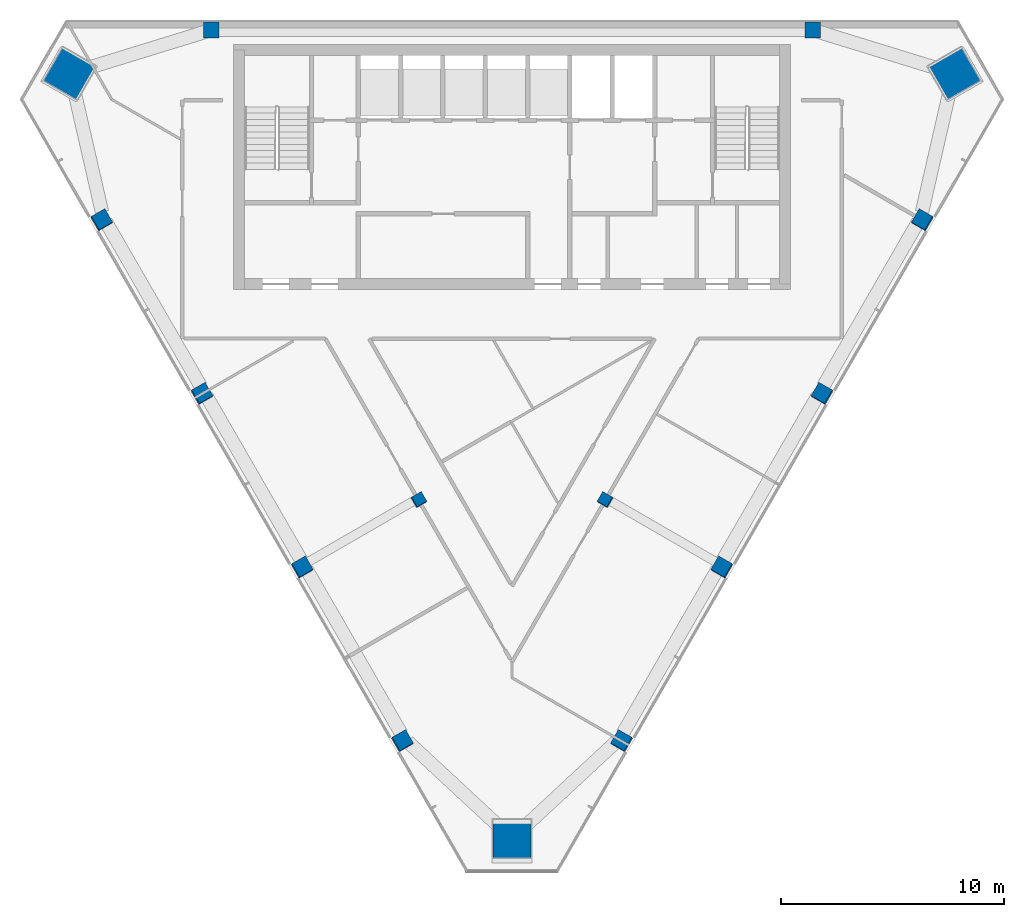
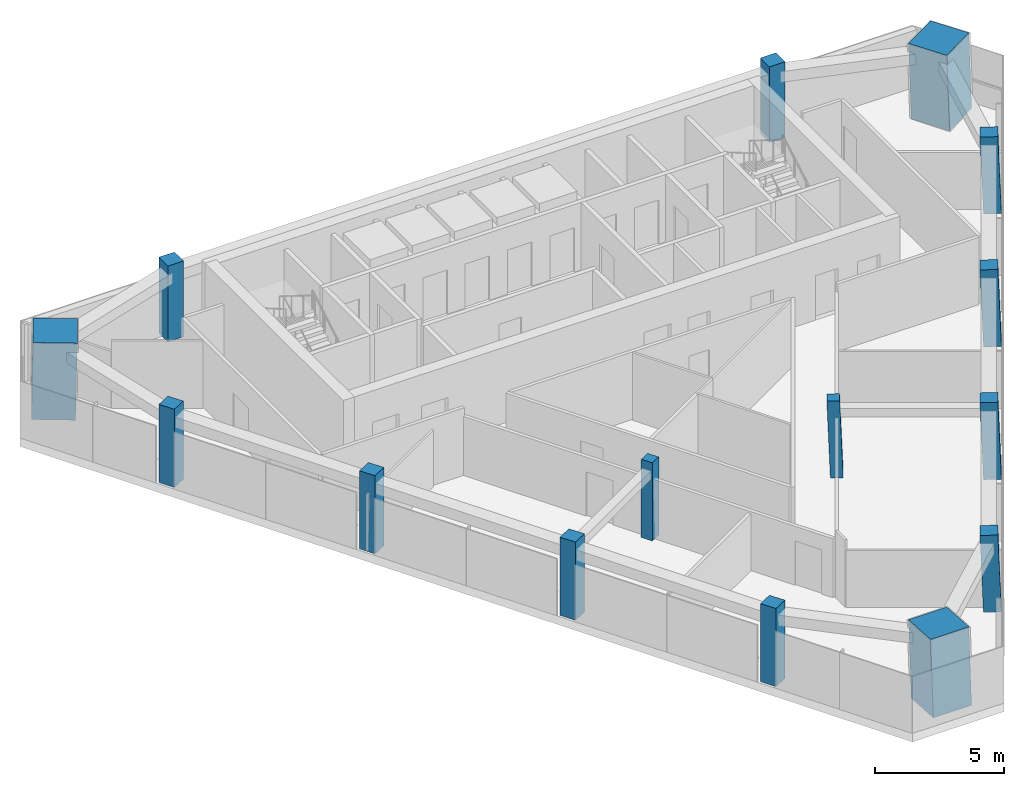
# One storey, part 1 of 9: 15 columns.
"""IFC4 building model written with IfcOpenShell, lengths in metres."""

from ifc_helpers import new_model, si_unit, direction, frame, origin, origin_2d, place, context, subcontext, project, spatial, rectangle, extrude, material, material_profile, profile_set, type_object, element, save


model = new_model("IFC4")

# Units and contexts
model_context = context("Model", 3, precision=1e-05, world=origin(), true_north=direction((0.0, 1.0)))
body_context = subcontext(model_context, "Body", "Model", "MODEL_VIEW")
ifc_project = project(units=[si_unit("LENGTHUNIT", "METRE"), si_unit("AREAUNIT", "SQUARE_METRE"), si_unit("VOLUMEUNIT", "CUBIC_METRE"), si_unit("PLANEANGLEUNIT", "RADIAN"), si_unit("MASSUNIT", "GRAM", prefix="KILO")], contexts=[model_context])

# Site, building, storey
site_placement = place(None, origin())
site = spatial("IfcSite", under=ifc_project, at=site_placement, CompositionType="ELEMENT")
building_placement = place(site_placement, origin())
building = spatial("IfcBuilding", under=site, at=building_placement, Name="Altiplano Prism Tower", CompositionType="ELEMENT")
storey_placement = place(building_placement, frame((0.0, 0.0, 302.199951171875)))
storey = spatial("IfcBuildingStorey", under=building, at=storey_placement, Name="L78", CompositionType="ELEMENT", Elevation=302.199951171875)

# Columns
ifc_material_1 = material(Name="Concrete C60/75", Category="concrete")
ifc_material_profile_1 = material_profile(ifc_material_1, rectangle(XDim=0.5, YDim=0.5, at=origin_2d()), Name="Inner column 500")
ifc_profile_set_1 = profile_set([ifc_material_profile_1], Name="Concrete C60/75")
column_type_1 = type_object("IfcColumnType", Name="Inner column 500", PredefinedType="COLUMN", material=ifc_profile_set_1)
for number, where, z_axis, x_axis, name in (
    (1, (80.80712890625, 83.443359375, -0.01513671875), (0.022153634206, 0.038480930364, 0.999013730882), (-0.864979720065, -0.500331296023, 0.038453583657), "Inner column I13 L78"),
    (2, (89.19287109375, 83.443359375, -0.01513671875), (-0.022153634206, 0.038480930364, 0.999013730882), (-0.501317564392, -0.864978503905, 0.02220106786), "Inner column I22 L78"),
):
    element("IfcColumn", number, at=place(storey_placement, frame(where, z_axis=z_axis, x_axis=x_axis)), inside=storey, type_object=column_type_1, Name=name, PredefinedType="COLUMN", context=body_context, shape_type="SweptSolid", body=[
        extrude(rectangle(XDim=0.5, YDim=0.5, at=origin_2d()), origin(), (0.0, 0.0, 1.0), 3.603759765625),
    ])
ifc_material_2 = material(Name="Concrete C70/85", Category="concrete")
ifc_material_profile_2 = material_profile(ifc_material_2, rectangle(XDim=1.719970703125, YDim=1.719970703125, at=origin_2d()), Name="Mega column infill 1800")
ifc_profile_set_2 = profile_set([ifc_material_profile_2], Name="Concrete C70/85")
column_type_2 = type_object("IfcColumnType", Name="Mega column infill 1800", PredefinedType="COLUMN", material=ifc_profile_set_2)
column_1_placement = place(storey_placement, frame((65.0693359375, 102.567626953125, 0.0), z_axis=(0.028401796786, 0.009286506348, 0.999553449666), x_axis=(-0.866200496686, 0.499297251293, 0.019973842716)))
element("IfcColumn", 3, at=column_1_placement, inside=storey, type_object=column_type_2, Name="Mega column M0 L78", PredefinedType="COLUMN", context=body_context, shape_type="SweptSolid", body=[
    extrude(rectangle(XDim=1.719970703125, YDim=1.719970703125, at=origin_2d()), origin(), (0.0, 0.0, 1.0), 3.601806640625),
])
column_2_placement = place(storey_placement, frame((85.0, 68.046875, 0.0), z_axis=(0.0, 0.058356907999, 0.998295783467), x_axis=(-1.0, 0.0, 0.0)))
element("IfcColumn", 4, at=column_2_placement, inside=storey, type_object=column_type_2, Name="Mega column M1 L78", PredefinedType="COLUMN", context=body_context, shape_type="SweptSolid", body=[
    extrude(rectangle(XDim=1.719970703125, YDim=1.719970703125, at=origin_2d()), origin(), (0.0, 0.0, 1.0), 3.606201171875),
])
column_3_placement = place(storey_placement, frame((104.9306640625, 102.567626953125, 0.0), z_axis=(-0.028401796786, 0.009286506348, 0.999553449666), x_axis=(0.498888802721, -0.866380987586, 0.022224915478)))
element("IfcColumn", 5, at=column_3_placement, inside=storey, type_object=column_type_2, Name="Mega column M2 L78", PredefinedType="COLUMN", context=body_context, shape_type="SweptSolid", body=[
    extrude(rectangle(XDim=1.719970703125, YDim=1.719970703125, at=origin_2d()), origin(), (0.0, 0.0, 1.0), 3.601806640625),
])
ifc_material_profile_3 = material_profile(ifc_material_1, rectangle(XDim=0.699951171875, YDim=0.699951171875, at=origin_2d()), Name="Perimeter column 700")
ifc_profile_set_3 = profile_set([ifc_material_profile_3], Name="Concrete C60/75")
column_type_3 = type_object("IfcColumnType", Name="Perimeter column 700", PredefinedType="COLUMN", material=ifc_profile_set_3)
for number, where, z_axis, x_axis, name in (
    (6, (98.5, 104.550048828125, 0.0), (0.0, 0.0, 1.0), (1.0, 0.0, 0.0), "Perimeter column P01 L78"),
    (7, (71.5, 104.550048828125, 0.0), (0.0, 0.0, 1.0), (1.0, 0.0, 0.0), "Perimeter column P04 L78"),
):
    element("IfcColumn", number, at=place(storey_placement, frame(where, z_axis=z_axis, x_axis=x_axis)), inside=storey, type_object=column_type_3, Name=name, PredefinedType="COLUMN", context=body_context, shape_type="SweptSolid", body=[
        extrude(rectangle(XDim=0.699951171875, YDim=0.699951171875, at=origin_2d()), origin(), (0.0, 0.0, 1.0), 3.60009765625),
    ])
for number, where, z_axis, x_axis, name in (
    (8, (66.5673828125, 96.006591796875, -0.021240234375), (0.02222134892, 0.038480872521, 0.999012229206), (-0.865642107509, -0.499182153693, 0.038482712231), "Perimeter column P11 L78"),
    (9, (71.0673828125, 88.21240234375, -0.021240234375), (0.022221406801, 0.038413224561, 0.999014831351), (-0.866024065394, -0.498523117158, 0.038432015521), "Perimeter column P12 L78"),
    (10, (75.5673828125, 80.418212890625, -0.021240234375), (0.022221406801, 0.038413224561, 0.999014831351), (-0.8660213715, -0.498527787681, 0.038432135187), "Perimeter column P13 L78"),
    (11, (80.0673828125, 72.6240234375, -0.021240234375), (0.022221406801, 0.038413224561, 0.999014831351), (-0.866021362782, -0.498527802796, 0.038432135574), "Perimeter column P14 L78"),
    (12, (89.9326171875, 72.6240234375, -0.021240234375), (-0.022221406801, 0.038413224561, 0.999014831351), (-0.499512971088, -0.866022201804, 0.022188683976), "Perimeter column P21 L78"),
    (13, (94.4326171875, 80.418212890625, -0.021240234375), (-0.022221406801, 0.038413224561, 0.999014831351), (-0.499512955973, -0.866022210505, 0.022188684646), "Perimeter column P22 L78"),
    (14, (98.9326171875, 88.21240234375, -0.021240234375), (-0.022221406801, 0.038413224561, 0.999014831351), (-0.499508285454, -0.866024899087, 0.022188891913), "Perimeter column P23 L78"),
    (15, (103.4326171875, 96.006591796875, -0.021240234375), (-0.02222134892, 0.038480872521, 0.999012229206), (-0.500169924484, -0.865642189293, 0.022218162776), "Perimeter column P24 L78"),
):
    element("IfcColumn", number, at=place(storey_placement, frame(where, z_axis=z_axis, x_axis=x_axis)), inside=storey, type_object=column_type_3, Name=name, PredefinedType="COLUMN", context=body_context, shape_type="SweptSolid", body=[
        extrude(rectangle(XDim=0.699951171875, YDim=0.699951171875, at=origin_2d()), origin(), (0.0, 0.0, 1.0), 3.603759765625),
    ])

save(model, "model.ifc")
